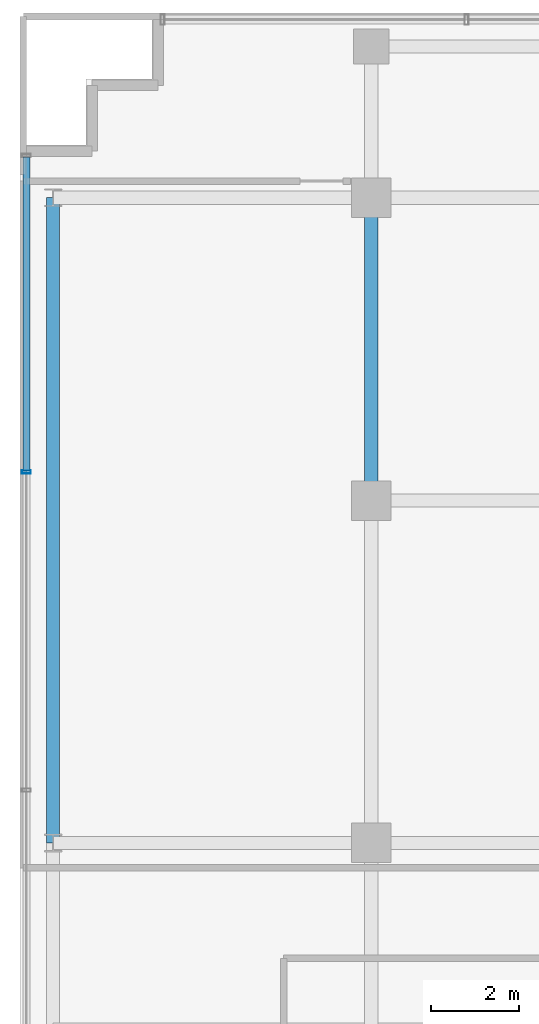
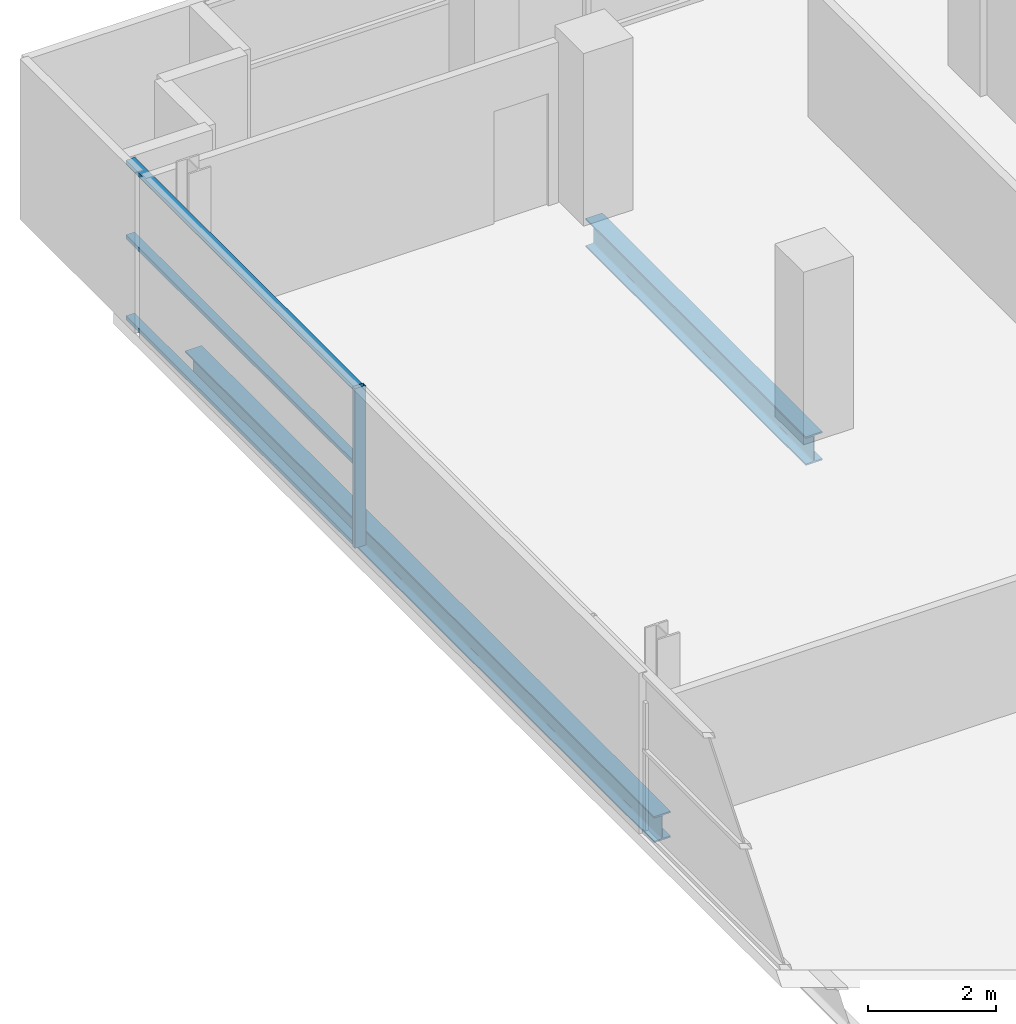
# One storey, part 9 of 25: 4 members, 2 beams, 1 element without a shape of its own.
"""IFC4 building model written with IfcOpenShell, lengths in metres."""

import ifcopenshell
import ifcopenshell.guid

model = None  # the IFC model being written
_history = None  # IfcOwnerHistory: only IFC2X3 demands one
_inside = {}  # id of a spatial element -> (the spatial element, [elements in it])
_under = {}  # id of a project, library or spatial element -> (it, [spatial elements below it])
_declared = {}  # id of a project -> (the project, [libraries it declares])
_typed = {}  # id of a type object -> (the type object, [elements of that type])
_made_of = {}  # id of a material, layer set ... -> (it, [elements and type objects made of it])


def new_model(schema):
    """Start an empty IFC model of exactly this schema.

    Asked for "IFC4X3", IfcOpenShell would pick the latest addendum, in which some entities
    have other attributes; the version numbers below select the first issue.
    IFC2X3 requires an IfcOwnerHistory on every rooted entity: one is made here for all.
    """
    global model, _history
    if schema == "IFC4X3":
        model = ifcopenshell.file(schema_version=(4, 3, 0, 0))
    else:
        model = ifcopenshell.file(schema=schema)
    _inside.clear()
    _under.clear()
    _declared.clear()
    _typed.clear()
    _made_of.clear()
    _history = None
    if model.schema == "IFC2X3":
        org = make("IfcOrganization", Name="unknown")
        user = make(
            "IfcPersonAndOrganization",
            ThePerson=make("IfcPerson", FamilyName="unknown"),
            TheOrganization=org,
        )
        app = make(
            "IfcApplication",
            ApplicationDeveloper=org,
            Version="unknown",
            ApplicationFullName="unknown",
            ApplicationIdentifier="unknown",
        )
        _history = make(
            "IfcOwnerHistory",
            OwningUser=user,
            OwningApplication=app,
            ChangeAction="ADDED",
            CreationDate=0,
        )
    return model


def make(cls, **values):
    """One entity of the class cls with the attributes given. An attribute that is None is left unset."""
    return model.create_entity(
        cls, **{name: value for name, value in values.items() if value is not None}
    )


def rooted(cls, **values):
    """An entity with a GlobalId (a new one), such as an element, a storey or a relation."""
    return make(cls, GlobalId=ifcopenshell.guid.new(), OwnerHistory=_history, **values)


def si_unit(unit_type, name, prefix=None):
    """IfcSIUnit, for example si_unit("LENGTHUNIT", "METRE", prefix="MILLI")."""
    return make("IfcSIUnit", UnitType=unit_type, Prefix=prefix, Name=name)


def assignment(units):
    """IfcUnitAssignment: the units of a project."""
    return None if units is None else make("IfcUnitAssignment", Units=units)


def point(xyz):
    """IfcCartesianPoint."""
    return None if xyz is None else make("IfcCartesianPoint", Coordinates=xyz)


def direction(xyz):
    """IfcDirection."""
    return None if xyz is None else make("IfcDirection", DirectionRatios=xyz)


def frame(location, z_axis=None, x_axis=None):
    """IfcAxis2Placement3D, a coordinate frame: its origin and axes. An axis left out is left unset."""
    return make(
        "IfcAxis2Placement3D",
        Location=point(location),
        Axis=direction(z_axis),
        RefDirection=direction(x_axis),
    )


def frame_2d(location, x_axis=None):
    """IfcAxis2Placement2D, a coordinate frame in the plane: its origin and x axis."""
    return make(
        "IfcAxis2Placement2D", Location=point(location), RefDirection=direction(x_axis)
    )


def origin():
    """The frame at (0, 0, 0) with its axes left unset."""
    return frame((0.0, 0.0, 0.0))


def origin_2d():
    """The frame at (0, 0) in the plane with its x axis left unset."""
    return frame_2d((0.0, 0.0))


def place(relative_to, where):
    """IfcLocalPlacement: puts the frame where relative to a parent placement (None: the world)."""
    return make(
        "IfcLocalPlacement", PlacementRelTo=relative_to, RelativePlacement=where
    )


def context(
    kind, dimensions, precision=None, world=None, true_north=None, identifier=None
):
    """IfcGeometricRepresentationContext, for example the 3D "Model" context."""
    return make(
        "IfcGeometricRepresentationContext",
        ContextIdentifier=identifier,
        ContextType=kind,
        CoordinateSpaceDimension=dimensions,
        Precision=precision,
        WorldCoordinateSystem=world,
        TrueNorth=true_north,
    )


def subcontext(parent, identifier, kind, view, scale=None):
    """IfcGeometricRepresentationSubContext, for example "Body" below "Model"."""
    return make(
        "IfcGeometricRepresentationSubContext",
        ContextIdentifier=identifier,
        ContextType=kind,
        ParentContext=parent,
        TargetScale=scale,
        TargetView=view,
    )


def project(units=None, contexts=None):
    """IfcProject with its units and contexts."""
    return rooted(
        "IfcProject",
        Name="project",
        RepresentationContexts=contexts,
        UnitsInContext=assignment(units),
    )


def spatial(cls, under=None, at=None, **own):
    """A site, building, storey or space (cls), placed at a placement, below another one or the project."""
    s = rooted(cls, ObjectPlacement=at, **own)
    if under is not None:
        _under.setdefault(under.id(), (under, []))[1].append(s)
    return s


def profile(cls, at=None, kind="AREA", **sizes):
    """A parametric profile (cls). Its sizes go by their IFC names, for example OverallWidth=200.0."""
    return make(cls, ProfileType=kind, Position=at, **sizes)


def hollow_rectangle(**sizes):
    """IfcRectangleHollowProfileDef."""
    return profile("IfcRectangleHollowProfileDef", **sizes)


def i_section(**sizes):
    """IfcIShapeProfileDef."""
    return profile("IfcIShapeProfileDef", **sizes)


def extrude(swept, where, along, depth):
    """IfcExtrudedAreaSolid: the profile swept, set in the frame where, extruded along a direction by depth."""
    return make(
        "IfcExtrudedAreaSolid",
        SweptArea=swept,
        Position=where,
        ExtrudedDirection=direction(along),
        Depth=depth,
    )


def shape(context_of_items, identifier, shape_type, items):
    """IfcShapeRepresentation: the items that make up one representation, for example the "Body"."""
    return make(
        "IfcShapeRepresentation",
        ContextOfItems=context_of_items,
        RepresentationIdentifier=identifier,
        RepresentationType=shape_type,
        Items=items,
    )


def source(mapping_origin, context_of_items, identifier, shape_type, items):
    """IfcRepresentationMap: a shape defined once, which mapped items show again and again."""
    return make(
        "IfcRepresentationMap",
        MappingOrigin=mapping_origin,
        MappedRepresentation=shape(context_of_items, identifier, shape_type, items),
    )


def transform(
    local_origin,
    x_axis=None,
    y_axis=None,
    z_axis=None,
    scale=None,
    scale2=None,
    scale3=None,
    uniform=True,
):
    """IfcCartesianTransformationOperator3D, or its non-uniform kind. x_axis, y_axis, z_axis: its Axis1, 2, 3."""
    if uniform:
        return make(
            "IfcCartesianTransformationOperator3D",
            Axis1=direction(x_axis),
            Axis2=direction(y_axis),
            LocalOrigin=point(local_origin),
            Scale=scale,
            Axis3=direction(z_axis),
        )
    return make(
        "IfcCartesianTransformationOperator3DnonUniform",
        Axis1=direction(x_axis),
        Axis2=direction(y_axis),
        LocalOrigin=point(local_origin),
        Scale=scale,
        Axis3=direction(z_axis),
        Scale2=scale2,
        Scale3=scale3,
    )


def mapped(mapping_source, mapping_target):
    """IfcMappedItem: shows the shape of a source again, moved by a transform."""
    return make(
        "IfcMappedItem", MappingSource=mapping_source, MappingTarget=mapping_target
    )


def material(Name=None, Category=None):
    """IfcMaterial."""
    return make("IfcMaterial", Name=Name, Category=Category)


def layer(
    of_material, thickness, ventilated=None, Name=None, Category=None, Priority=None
):
    """IfcMaterialLayer: one layer of a wall or slab, of a material (None: an air gap)."""
    return make(
        "IfcMaterialLayer",
        Material=of_material,
        LayerThickness=thickness,
        IsVentilated=ventilated,
        Name=Name,
        Category=Category,
        Priority=Priority,
    )


def layer_set(layers, Name=None):
    """IfcMaterialLayerSet."""
    return make("IfcMaterialLayerSet", MaterialLayers=layers, LayerSetName=Name)


def material_profile(
    of_material, cross_section, Name=None, Category=None, Priority=None
):
    """IfcMaterialProfile: a cross section and its material."""
    return make(
        "IfcMaterialProfile",
        Name=Name,
        Material=of_material,
        Profile=cross_section,
        Priority=Priority,
        Category=Category,
    )


def profile_set(profiles, Name=None, composite=None):
    """IfcMaterialProfileSet."""
    return make(
        "IfcMaterialProfileSet",
        Name=Name,
        MaterialProfiles=profiles,
        CompositeProfile=composite,
    )


def made_of(thing, what):
    """Note that an element or type object is made of a material, layer set ...; save() writes the relation."""
    if what is not None:
        _made_of.setdefault(what.id(), (what, []))[1].append(thing)
    return thing


def type_object(cls, material=None, **own):
    """A type object (cls), such as IfcWallType, which elements share."""
    return made_of(rooted(cls, **own), material)


def element(
    cls,
    number,
    at=None,
    inside=None,
    cuts=None,
    type_object=None,
    material=None,
    context=None,
    identifier="Body",
    shape_type=None,
    held_by="IfcProductDefinitionShape",
    body=None,
    shapes=None,
    **own,
):
    """One element of the class cls, such as IfcWall. Its Tag is "e" and its number.

    at: its placement. inside: the storey or other place that contains it. cuts: it is an
    opening in that element (IfcRelVoidsElement). A single representation is given by context,
    identifier, shape_type and body (its items); several are given by shapes. held_by: the class
    of the entity that holds the representations. save() writes the other relations.
    """
    e = rooted(cls, Tag="e%d" % number, ObjectPlacement=at, **own)
    if body is not None:
        shapes = [shape(context, identifier, shape_type, body)]
    if shapes is not None:
        e.Representation = make(held_by, Representations=shapes)
    if inside is not None:
        _inside.setdefault(inside.id(), (inside, []))[1].append(e)
    if cuts is not None:
        rooted(
            "IfcRelVoidsElement", RelatingBuildingElement=cuts, RelatedOpeningElement=e
        )
    if type_object is not None:
        _typed.setdefault(type_object.id(), (type_object, []))[1].append(e)
    return made_of(e, material)


def aggregate(whole, parts):
    """IfcRelAggregates: a whole, such as a stair, and the parts it consists of."""
    return rooted("IfcRelAggregates", RelatingObject=whole, RelatedObjects=parts)


def save(model, path):
    """Write the relations noted so far, then the file.

    IfcRelAggregates (storeys below a building ...), IfcRelContainedInSpatialStructure (elements
    in a storey), IfcRelDefinesByType, IfcRelAssociatesMaterial and IfcRelDeclares: one each for
    every whole, place, type object, material and project.
    """
    for whole, parts in _under.values():
        aggregate(whole, parts)
    for where, things in _inside.values():
        rooted(
            "IfcRelContainedInSpatialStructure",
            RelatedElements=things,
            RelatingStructure=where,
        )
    for kind, things in _typed.values():
        rooted("IfcRelDefinesByType", RelatedObjects=things, RelatingType=kind)
    for what, things in _made_of.values():
        rooted("IfcRelAssociatesMaterial", RelatedObjects=things, RelatingMaterial=what)
    for by, libraries in _declared.values():
        rooted("IfcRelDeclares", RelatingContext=by, RelatedDefinitions=libraries)
    model.write(path)


model = new_model("IFC4")

# Units and contexts
model_context = context("Model", 3, precision=1e-05, world=origin(), true_north=direction((0.0, 1.0)))
body_context = subcontext(model_context, "Body", "Model", "MODEL_VIEW")
ifc_project = project(units=[si_unit("LENGTHUNIT", "METRE"), si_unit("AREAUNIT", "SQUARE_METRE"), si_unit("VOLUMEUNIT", "CUBIC_METRE"), si_unit("PLANEANGLEUNIT", "RADIAN"), si_unit("MASSUNIT", "GRAM", prefix="KILO")], contexts=[model_context])

# Site, building, storey
site_placement = place(None, origin())
site = spatial("IfcSite", under=ifc_project, at=site_placement, CompositionType="ELEMENT")
building_placement = place(site_placement, origin())
building = spatial("IfcBuilding", under=site, at=building_placement, Name="Zarnakvel Exchange Tower", CompositionType="ELEMENT")
storey_placement = place(building_placement, frame((0.0, 0.0, 93.39990234375)))
storey = spatial("IfcBuildingStorey", under=building, at=storey_placement, Name="L25", CompositionType="ELEMENT", Elevation=93.39990234375)

# Beams
ifc_material_1 = material(Name="Steel S355", Category="steel")
ifc_material_profile_1 = material_profile(ifc_material_1, i_section(OverallWidth=0.300048828125, OverallDepth=0.550048828125, WebThickness=0.014892578125, FlangeThickness=0.029052734375, FilletRadius=0.027099609375, at=origin_2d()))
ifc_profile_set_1 = profile_set([ifc_material_profile_1], Name="Steel S355")
beam_type_1 = type_object("IfcBeamType", Name="G-05", PredefinedType="BEAM", material=ifc_profile_set_1)
beam_1_placement = place(storey_placement, frame((-21.60009765625, 6.60009765625, -0.5), z_axis=(0.0, 1.0, 0.0), x_axis=(-1.0, 0.0, 0.0)))
element("IfcBeam", 1, at=beam_1_placement, inside=storey, type_object=beam_type_1, Name="L25 Tower N-S Frame Beam", PredefinedType="BEAM", context=body_context, shape_type="SweptSolid", body=[
    extrude(i_section(OverallWidth=0.300048828125, OverallDepth=0.550048828125, WebThickness=0.014892578125, FlangeThickness=0.029052734375, FilletRadius=0.027099609375, at=origin_2d()), origin(), (0.0, 0.0, 1.0), 6.89990234375),
])
ifc_material_profile_2 = material_profile(ifc_material_1, i_section(OverallWidth=0.300048828125, OverallDepth=0.5, WebThickness=0.014404296875, FlangeThickness=0.028076171875, FilletRadius=0.027099609375, at=origin_2d()))
ifc_profile_set_2 = profile_set([ifc_material_profile_2], Name="Steel S355")
beam_type_2 = type_object("IfcBeamType", Name="SP-02", PredefinedType="SPANDREL", material=ifc_profile_set_2)
beam_2_placement = place(storey_placement, frame((-28.85009765625, -1.199951171875, -0.474853515625), z_axis=(0.0, 1.0, 0.0), x_axis=(-1.0, 0.0, 0.0)))
element("IfcBeam", 2, at=beam_2_placement, inside=storey, type_object=beam_type_2, Name="L25 Tower N-S Frame Beam", PredefinedType="SPANDREL", context=body_context, shape_type="SweptSolid", body=[
    extrude(i_section(OverallWidth=0.300048828125, OverallDepth=0.5, WebThickness=0.014404296875, FlangeThickness=0.028076171875, FilletRadius=0.027099609375, at=origin_2d()), origin(), (0.0, 0.0, 1.0), 14.699951171875),
])

# Curtain wall, members
ifc_material_2 = material(Name="Architectural Bronze Anodised Aluminium", Category="aluminium")
ifc_layer = layer(ifc_material_2, 0.199951171875)
ifc_layer_set = layer_set([ifc_layer], Name="Architectural Bronze Anodised Aluminium")
curtain_wall_type = type_object("IfcCurtainWallType", Name="CW-04", PredefinedType="NOTDEFINED", material=ifc_layer_set)
curtain_wall_placement = place(storey_placement, origin())
curtain_wall = element("IfcCurtainWall", 3, at=curtain_wall_placement, inside=storey, type_object=curtain_wall_type, Name="L25 Curtain Wall CW-L25-W1 (CW-04)", PredefinedType="NOTDEFINED")
ifc_material_profile_3 = material_profile(ifc_material_2, hollow_rectangle(XDim=0.199951171875, YDim=0.074951171875, WallThickness=0.0048828125, at=origin_2d()))
ifc_profile_set_3 = profile_set([ifc_material_profile_3], Name="Architectural Bronze Anodised Aluminium")
member_type_1 = type_object("IfcMemberType", Name="CWM-04", PredefinedType="MULLION", material=ifc_profile_set_3)
shared_shape_1 = source(origin(), body_context, "Body", "SweptSolid", [
    extrude(hollow_rectangle(XDim=0.199951171875, YDim=0.074951171875, WallThickness=0.0048828125, at=origin_2d()), origin(), (0.0, 0.0, 1.0), 3.05517578125),
])
member_1_placement = place(storey_placement, frame((-29.4599609375, 7.25, 0.0), z_axis=(0.0, 0.0, 1.0), x_axis=(-1.0, 0.0, 0.0)))
member_1 = element("IfcMember", 4, at=member_1_placement, type_object=member_type_1, Name="CW-04 mullion 4", PredefinedType="MULLION", context=body_context, shape_type="MappedRepresentation", body=[
    mapped(shared_shape_1, transform((0.0, 0.0, 0.0), x_axis=(1.0, 0.0, 0.0), y_axis=(0.0, 1.0, 0.0), z_axis=(0.0, 0.0, 1.0), scale=1.0)),
])
ifc_material_profile_4 = material_profile(ifc_material_2, hollow_rectangle(XDim=0.159912109375, YDim=0.074951171875, WallThickness=0.00390625, at=origin_2d()))
ifc_profile_set_4 = profile_set([ifc_material_profile_4], Name="Architectural Bronze Anodised Aluminium")
member_type_2 = type_object("IfcMemberType", Name="CWT-04", PredefinedType="USERDEFINED", material=ifc_profile_set_4)
shared_shape_2 = source(origin(), body_context, "Body", "SweptSolid", [
    extrude(hollow_rectangle(XDim=0.159912109375, YDim=0.074951171875, WallThickness=0.00390625, at=origin_2d()), origin(), (0.0, 0.0, 1.0), 7.137451171875),
])
member_2_placement = place(storey_placement, frame((-29.4599609375, 7.28759765625, 0.03759765625), z_axis=(0.0, 1.0, 0.0), x_axis=(-1.0, 0.0, 0.0)))
member_2 = element("IfcMember", 5, at=member_2_placement, type_object=member_type_2, Name="CW-04 transom 4.1", ObjectType="TRANSOM", PredefinedType="USERDEFINED", context=body_context, shape_type="MappedRepresentation", body=[
    mapped(shared_shape_2, transform((0.0, 0.0, 0.0), x_axis=(1.0, 0.0, 0.0), y_axis=(0.0, 1.0, 0.0), z_axis=(0.0, 0.0, 1.0), scale=1.0)),
])
member_3_placement = place(storey_placement, frame((-29.4599609375, 7.28759765625, 1.588623046875), z_axis=(0.0, 1.0, 0.0), x_axis=(-1.0, 0.0, 0.0)))
member_3 = element("IfcMember", 6, at=member_3_placement, type_object=member_type_2, Name="CW-04 transom 4.2", ObjectType="TRANSOM", PredefinedType="USERDEFINED", context=body_context, shape_type="MappedRepresentation", body=[
    mapped(shared_shape_2, transform((0.0, 0.0, 0.0), x_axis=(1.0, 0.0, 0.0), y_axis=(0.0, 1.0, 0.0), z_axis=(0.0, 0.0, 1.0), scale=1.0)),
])
member_4_placement = place(storey_placement, frame((-29.4599609375, 7.28759765625, 3.017578125), z_axis=(0.0, 1.0, 0.0), x_axis=(-1.0, 0.0, 0.0)))
member_4 = element("IfcMember", 7, at=member_4_placement, type_object=member_type_2, Name="CW-04 transom 4.3", ObjectType="TRANSOM", PredefinedType="USERDEFINED", context=body_context, shape_type="MappedRepresentation", body=[
    mapped(shared_shape_2, transform((0.0, 0.0, 0.0), x_axis=(1.0, 0.0, 0.0), y_axis=(0.0, 1.0, 0.0), z_axis=(0.0, 0.0, 1.0), scale=1.0)),
])
aggregate(curtain_wall, [member_1, member_2, member_3, member_4])

save(model, "model.ifc")
